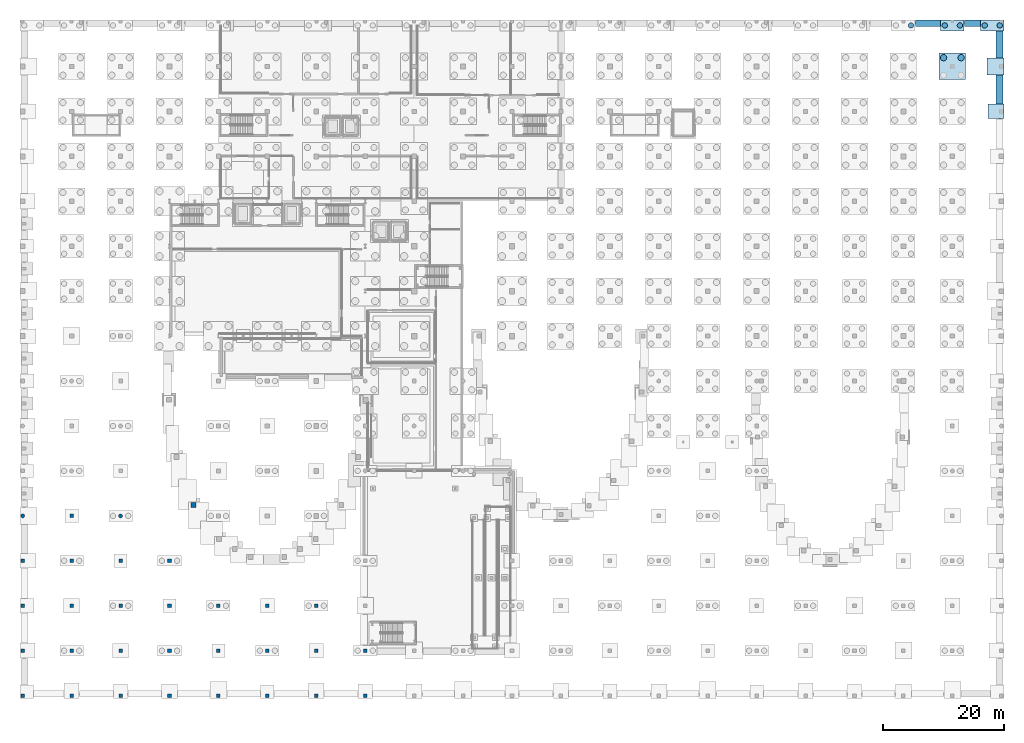
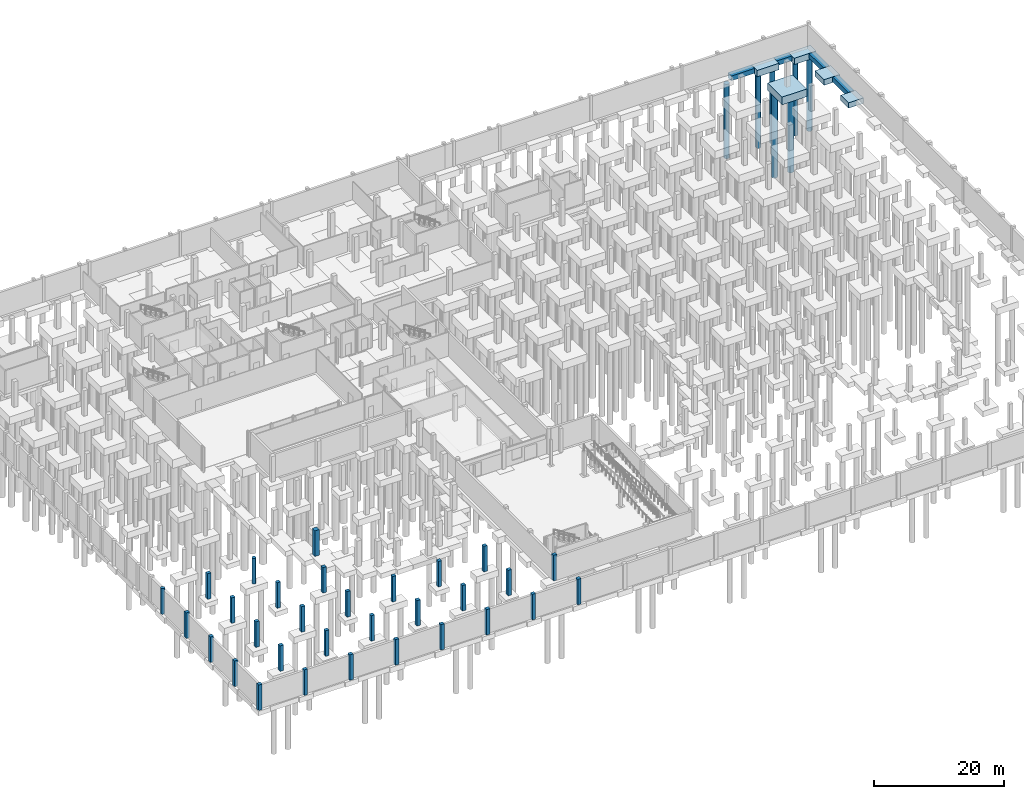
# One storey, part 10 of 37: 31 columns, 9 footings, 7 piles.
"""IFC4 building model written with IfcOpenShell, lengths in metres."""

from ifc_helpers import new_model, si_unit, direction, frame, origin, origin_2d, place, context, subcontext, project, spatial, polyline, rectangle, circle, outline, extrude, material, material_profile, profile_set, type_object, element, save


model = new_model("IFC4")

# Units and contexts
model_context = context("Model", 3, precision=1e-05, world=origin(), true_north=direction((0.0, 1.0)))
body_context = subcontext(model_context, "Body", "Model", "MODEL_VIEW")
ifc_project = project(units=[si_unit("LENGTHUNIT", "METRE"), si_unit("AREAUNIT", "SQUARE_METRE"), si_unit("VOLUMEUNIT", "CUBIC_METRE"), si_unit("PLANEANGLEUNIT", "RADIAN"), si_unit("MASSUNIT", "GRAM", prefix="KILO")], contexts=[model_context])

# Site, building, storey
site_placement = place(None, origin())
site = spatial("IfcSite", under=ifc_project, at=site_placement, CompositionType="ELEMENT")
building_placement = place(site_placement, origin())
building = spatial("IfcBuilding", under=site, at=building_placement, Name="Kaelora Sail Theatre", CompositionType="ELEMENT")
storey_placement = place(building_placement, frame((0.0, 0.0, -4.800048828125)))
storey = spatial("IfcBuildingStorey", under=building, at=storey_placement, Name="B1", CompositionType="ELEMENT", Elevation=-4.800048828125)

# Footings
ifc_material_1 = material(Name="Concrete C40/50", Category="concrete")
footing_type_1 = type_object("IfcFootingType", Name="STR-FTG-PC-2P", PredefinedType="PILE_CAP", material=ifc_material_1)
for number, where, z_axis, x_axis, name in (
    (1, (155.39990234375, 112.449951171875, -1.19970703125), (0.0, 0.0, 1.0), (1.0, 0.0, 0.0), "Foundation 20/P"),
    (2, (162.0, 112.449951171875, -1.19970703125), (0.0, 0.0, 1.0), (1.0, 0.0, 0.0), "Foundation 21/P"),
):
    element("IfcFooting", number, at=place(storey_placement, frame(where, z_axis=z_axis, x_axis=x_axis)), inside=storey, type_object=footing_type_1, Name=name, PredefinedType="PILE_CAP", context=body_context, shape_type="SweptSolid", body=[
        extrude(rectangle(XDim=3.89990234375, YDim=1.800048828125, at=origin_2d()), origin(), (0.0, 0.0, 1.0), 1.199951171875),
    ])
ifc_material_2 = material(Name="Concrete C40/50", Category="concrete")
footing_type_2 = type_object("IfcFootingType", Name="STR-FTG-PC-4B", PredefinedType="PILE_CAP", material=ifc_material_2)
footing_1_placement = place(storey_placement, frame((155.39990234375, 105.659912109375, -1.44970703125), z_axis=(0.0, 0.0, 1.0), x_axis=(1.0, 0.0, 0.0)))
element("IfcFooting", 3, at=footing_1_placement, inside=storey, type_object=footing_type_2, Name="Foundation 20/O", PredefinedType="PILE_CAP", context=body_context, shape_type="SweptSolid", body=[
    extrude(rectangle(XDim=4.39990234375, YDim=4.39990234375, at=origin_2d()), origin(), (0.0, 0.0, 1.0), 1.449951171875),
])
ifc_material_3 = material(Name="Concrete C40/50", Category="concrete")
footing_type_3 = type_object("IfcFootingType", Name="STR-FTG-PF-1E", PredefinedType="PAD_FOOTING", material=ifc_material_3)
footing_2_placement = place(storey_placement, frame((162.625, 98.219970703125, -1.0), z_axis=(0.0, 0.0, 1.0), x_axis=(1.0, 0.0, 0.0)))
element("IfcFooting", 4, at=footing_2_placement, inside=storey, type_object=footing_type_3, Name="Foundation 21/N", PredefinedType="PAD_FOOTING", context=body_context, shape_type="SweptSolid", body=[
    extrude(rectangle(XDim=2.64990234375, YDim=2.39990234375, at=origin_2d()), origin(), (0.0, 0.0, 1.0), 1.0),
])
ifc_material_4 = material(Name="Concrete C40/50", Category="concrete")
footing_type_4 = type_object("IfcFootingType", Name="STR-FTG-PF-1F", PredefinedType="PAD_FOOTING", material=ifc_material_4)
footing_3_placement = place(storey_placement, frame((162.550048828125, 105.659912109375, -1.0498046875), z_axis=(0.0, 0.0, 1.0), x_axis=(1.0, 0.0, 0.0)))
element("IfcFooting", 5, at=footing_3_placement, inside=storey, type_object=footing_type_4, Name="Foundation 21/O", PredefinedType="PAD_FOOTING", context=body_context, shape_type="SweptSolid", body=[
    extrude(rectangle(XDim=2.800048828125, YDim=2.800048828125, at=origin_2d()), origin(), (0.0, 0.0, 1.0), 1.050048828125),
])
ifc_material_5 = material(Name="Concrete C40/50", Category="concrete")
footing_type_5 = type_object("IfcFootingType", Name="STR-GB-SF-DRM", PredefinedType="STRIP_FOOTING", material=ifc_material_5)
footing_4_placement = place(storey_placement, frame((0.0, 0.0, -0.89990234375)))
element("IfcFooting", 6, at=footing_4_placement, inside=storey, type_object=footing_type_5, Name="Perimeter plinth strip footing SF-PL-E", PredefinedType="STRIP_FOOTING", context=body_context, shape_type="SweptSolid", body=[
    extrude(outline(polyline([(162.64990234375, 111.52001953125), (163.75, 111.52001953125), (163.75, 107.090087890625), (162.64990234375, 107.090087890625), (162.64990234375, 111.52001953125)])), origin(), (0.0, 0.0, 1.0), 0.89990234375),
])
footing_5_placement = place(storey_placement, frame((0.0, 0.0, -0.89990234375)))
element("IfcFooting", 7, at=footing_5_placement, inside=storey, type_object=footing_type_5, Name="Perimeter plinth strip footing SF-PL-E", PredefinedType="STRIP_FOOTING", context=body_context, shape_type="SweptSolid", body=[
    extrude(outline(polyline([(162.64990234375, 104.22998046875), (163.75, 104.22998046875), (163.75, 99.449951171875), (162.64990234375, 99.449951171875), (162.64990234375, 104.22998046875)])), origin(), (0.0, 0.0, 1.0), 0.89990234375),
])
footing_6_placement = place(storey_placement, frame((0.0, 0.0, -0.89990234375)))
element("IfcFooting", 8, at=footing_6_placement, inside=storey, type_object=footing_type_5, Name="Perimeter plinth strip footing SF-PL-N", PredefinedType="STRIP_FOOTING", context=body_context, shape_type="SweptSolid", body=[
    extrude(outline(polyline([(157.3798828125, 112.25), (157.3798828125, 113.340087890625), (160.02001953125, 113.340087890625), (160.02001953125, 112.25), (157.3798828125, 112.25)])), origin(), (0.0, 0.0, 1.0), 0.89990234375),
])
footing_7_placement = place(storey_placement, frame((0.0, 0.0, -0.89990234375)))
element("IfcFooting", 9, at=footing_7_placement, inside=storey, type_object=footing_type_5, Name="Perimeter plinth strip footing SF-PL-N", PredefinedType="STRIP_FOOTING", context=body_context, shape_type="SweptSolid", body=[
    extrude(outline(polyline([(149.280029296875, 112.25), (149.280029296875, 113.340087890625), (153.419921875, 113.340087890625), (153.419921875, 112.25), (149.280029296875, 112.25)])), origin(), (0.0, 0.0, 1.0), 0.89990234375),
])

# Piles
ifc_material_6 = material(Name="Concrete C40/50", Category="concrete")
ifc_material_profile_1 = material_profile(ifc_material_6, circle(Radius=0.52490234375, at=origin_2d()), Name="PILE D1050")
ifc_profile_set_1 = profile_set([ifc_material_profile_1], Name="Concrete C40/50")
pile_type_1 = type_object("IfcPileType", Name="STR-PILE-PL-1050", PredefinedType="BORED", material=ifc_profile_set_1)
for number, where, z_axis, x_axis, name in (
    (10, (153.949951171875, 107.110107421875, -1.349853515625), (0.0, 0.0, -1.0), (1.0, 0.0, 0.0), "Bored pile 20/O P3"),
    (11, (156.85009765625, 107.110107421875, -1.349853515625), (0.0, 0.0, -1.0), (1.0, 0.0, 0.0), "Bored pile 20/O P4"),
):
    element("IfcPile", number, at=place(storey_placement, frame(where, z_axis=z_axis, x_axis=x_axis)), inside=storey, type_object=pile_type_1, Name=name, PredefinedType="BORED", context=body_context, shape_type="SweptSolid", body=[
        extrude(circle(Radius=0.52490234375, at=origin_2d()), origin(), (0.0, 0.0, 1.0), 16.0),
    ])
ifc_material_7 = material(Name="Concrete C40/50", Category="concrete")
ifc_material_profile_2 = material_profile(ifc_material_7, circle(Radius=0.449951171875, at=origin_2d()), Name="PILE D900")
ifc_profile_set_2 = profile_set([ifc_material_profile_2], Name="Concrete C40/50")
pile_type_2 = type_object("IfcPileType", Name="STR-PILE-PL-900", PredefinedType="BORED", material=ifc_profile_set_2)
for number, where, z_axis, x_axis, name in (
    (12, (148.550048828125, 112.449951171875, -1.099853515625), (0.0, 0.0, -1.0), (1.0, 0.0, 0.0), "Bored pile 19/P P2"),
    (13, (154.14990234375, 112.449951171875, -1.099853515625), (0.0, 0.0, -1.0), (1.0, 0.0, 0.0), "Bored pile 20/P P1"),
    (14, (156.64990234375, 112.449951171875, -1.099853515625), (0.0, 0.0, -1.0), (1.0, 0.0, 0.0), "Bored pile 20/P P2"),
    (15, (160.75, 112.449951171875, -1.099853515625), (0.0, 0.0, -1.0), (1.0, 0.0, 0.0), "Bored pile 21/P P1"),
    (16, (163.25, 112.449951171875, -1.099853515625), (0.0, 0.0, -1.0), (1.0, 0.0, 0.0), "Bored pile 21/P P2"),
):
    element("IfcPile", number, at=place(storey_placement, frame(where, z_axis=z_axis, x_axis=x_axis)), inside=storey, type_object=pile_type_2, Name=name, PredefinedType="BORED", context=body_context, shape_type="SweptSolid", body=[
        extrude(circle(Radius=0.449951171875, at=origin_2d()), origin(), (0.0, 0.0, 1.0), 14.0),
    ])

# Columns
ifc_material_8 = material(Name="Concrete C40/50", Category="concrete")
ifc_material_profile_3 = material_profile(ifc_material_8, rectangle(XDim=0.60009765625, YDim=0.60009765625, at=origin_2d()), Name="RC-COL 600x600")
ifc_profile_set_3 = profile_set([ifc_material_profile_3], Name="Concrete C40/50")
column_type_1 = type_object("IfcColumnType", Name="STR-COL-C-RC600", PredefinedType="COLUMN", material=ifc_profile_set_3)
for number, where, z_axis, x_axis, name in (
    (17, (1.5, 1.5, 0.0), (0.0, 0.0, 1.0), (1.0, 0.0, 0.0), "Column 1/A (B1)"),
    (18, (1.5, 8.93994140625, 0.0), (0.0, 0.0, 1.0), (1.0, 0.0, 0.0), "Column 1/B (B1)"),
    (19, (1.5, 16.3798828125, 0.0), (0.0, 0.0, 1.0), (1.0, 0.0, 0.0), "Column 1/C (B1)"),
    (20, (1.5, 23.820068359375, 0.0), (0.0, 0.0, 1.0), (1.0, 0.0, 0.0), "Column 1/D (B1)"),
    (21, (9.60009765625, 1.5, 0.0), (0.0, 0.0, 1.0), (1.0, 0.0, 0.0), "Column 2/A (B1)"),
    (22, (9.60009765625, 8.93994140625, 0.0), (0.0, 0.0, 1.0), (1.0, 0.0, 0.0), "Column 2/B (B1)"),
    (23, (9.60009765625, 16.3798828125, 0.0), (0.0, 0.0, 1.0), (1.0, 0.0, 0.0), "Column 2/C (B1)"),
    (24, (9.60009765625, 23.820068359375, 0.0), (0.0, 0.0, 1.0), (1.0, 0.0, 0.0), "Column 2/D (B1)"),
    (25, (9.60009765625, 31.260009765625, 0.0), (0.0, 0.0, 1.0), (1.0, 0.0, 0.0), "Column 2/E (B1)"),
    (26, (17.699951171875, 1.5, 0.0), (0.0, 0.0, 1.0), (1.0, 0.0, 0.0), "Column 3/A (B1)"),
    (27, (17.699951171875, 8.93994140625, 0.0), (0.0, 0.0, 1.0), (1.0, 0.0, 0.0), "Column 3/B (B1)"),
    (28, (17.699951171875, 16.3798828125, 0.0), (0.0, 0.0, 1.0), (1.0, 0.0, 0.0), "Column 3/C (B1)"),
    (29, (17.699951171875, 23.820068359375, 0.0), (0.0, 0.0, 1.0), (1.0, 0.0, 0.0), "Column 3/D (B1)"),
    (30, (25.800048828125, 1.5, 0.0), (0.0, 0.0, 1.0), (1.0, 0.0, 0.0), "Column 4/A (B1)"),
    (31, (25.800048828125, 8.93994140625, 0.0), (0.0, 0.0, 1.0), (1.0, 0.0, 0.0), "Column 4/B (B1)"),
    (32, (25.800048828125, 16.3798828125, 0.0), (0.0, 0.0, 1.0), (1.0, 0.0, 0.0), "Column 4/C (B1)"),
    (33, (25.800048828125, 23.820068359375, 0.0), (0.0, 0.0, 1.0), (1.0, 0.0, 0.0), "Column 4/D (B1)"),
    (34, (33.89990234375, 1.5, 0.0), (0.0, 0.0, 1.0), (1.0, 0.0, 0.0), "Column 5/A (B1)"),
    (35, (33.89990234375, 8.93994140625, 0.0), (0.0, 0.0, 1.0), (1.0, 0.0, 0.0), "Column 5/B (B1)"),
    (36, (33.89990234375, 16.3798828125, 0.0), (0.0, 0.0, 1.0), (1.0, 0.0, 0.0), "Column 5/C (B1)"),
    (37, (42.0, 1.5, 0.0), (0.0, 0.0, 1.0), (1.0, 0.0, 0.0), "Column 6/A (B1)"),
    (38, (42.0, 8.93994140625, 0.0), (0.0, 0.0, 1.0), (1.0, 0.0, 0.0), "Column 6/B (B1)"),
    (39, (42.0, 16.3798828125, 0.0), (0.0, 0.0, 1.0), (1.0, 0.0, 0.0), "Column 6/C (B1)"),
    (40, (50.10009765625, 1.5, 0.0), (0.0, 0.0, 1.0), (1.0, 0.0, 0.0), "Column 7/A (B1)"),
    (41, (50.10009765625, 8.93994140625, 0.0), (0.0, 0.0, 1.0), (1.0, 0.0, 0.0), "Column 7/B (B1)"),
    (42, (50.10009765625, 16.3798828125, 0.0), (0.0, 0.0, 1.0), (1.0, 0.0, 0.0), "Column 7/C (B1)"),
    (43, (58.199951171875, 1.5, 0.0), (0.0, 0.0, 1.0), (1.0, 0.0, 0.0), "Column 8/A (B1)"),
    (44, (58.199951171875, 8.93994140625, 0.0), (0.0, 0.0, 1.0), (1.0, 0.0, 0.0), "Column 8/B (B1)"),
):
    element("IfcColumn", number, at=place(storey_placement, frame(where, z_axis=z_axis, x_axis=x_axis)), inside=storey, type_object=column_type_1, Name=name, PredefinedType="COLUMN", context=body_context, shape_type="SweptSolid", body=[
        extrude(rectangle(XDim=0.60009765625, YDim=0.60009765625, at=origin_2d()), origin(), (0.0, 0.0, 1.0), 4.800048828125),
    ])
ifc_material_9 = material(Name="Concrete C50/60", Category="concrete")
ifc_material_profile_4 = material_profile(ifc_material_9, rectangle(XDim=0.800048828125, YDim=0.800048828125, at=origin_2d()), Name="RC-COL 800x800")
ifc_profile_set_4 = profile_set([ifc_material_profile_4], Name="Concrete C50/60")
column_type_2 = type_object("IfcColumnType", Name="STR-COL-C-RC800", PredefinedType="COLUMN", material=ifc_profile_set_4)
column_placement = place(storey_placement, frame((29.771240234375, 33.08349609375, 0.0), z_axis=(0.0, 0.0, 1.0), x_axis=(1.0, 0.0, 0.0)))
element("IfcColumn", 45, at=column_placement, inside=storey, type_object=column_type_2, Name="Main drum perimeter column MK16 (B1)", PredefinedType="COLUMN", context=body_context, shape_type="SweptSolid", body=[
    extrude(rectangle(XDim=0.800048828125, YDim=0.800048828125, at=origin_2d()), origin(), (0.0, 0.0, 1.0), 4.800048828125),
])
ifc_material_10 = material(Name="Concrete C45/55", Category="concrete")
ifc_material_profile_5 = material_profile(ifc_material_10, circle(Radius=0.324951171875, at=origin_2d()), Name="RC-CCOL D650")
ifc_profile_set_5 = profile_set([ifc_material_profile_5], Name="Concrete C45/55")
column_type_3 = type_object("IfcColumnType", Name="STR-COL-C-RCD650", PredefinedType="COLUMN", material=ifc_profile_set_5)
for number, where, z_axis, x_axis, name in (
    (46, (1.5, 31.260009765625, 0.0), (0.0, 0.0, 1.0), (1.0, 0.0, 0.0), "Column 1/E (B1)"),
    (47, (17.699951171875, 31.260009765625, 0.0), (0.0, 0.0, 1.0), (1.0, 0.0, 0.0), "Column 3/E (B1)"),
):
    element("IfcColumn", number, at=place(storey_placement, frame(where, z_axis=z_axis, x_axis=x_axis)), inside=storey, type_object=column_type_3, Name=name, PredefinedType="COLUMN", context=body_context, shape_type="SweptSolid", body=[
        extrude(circle(Radius=0.324951171875, at=origin_2d()), origin(), (0.0, 0.0, 1.0), 4.800048828125),
    ])

save(model, "model.ifc")
